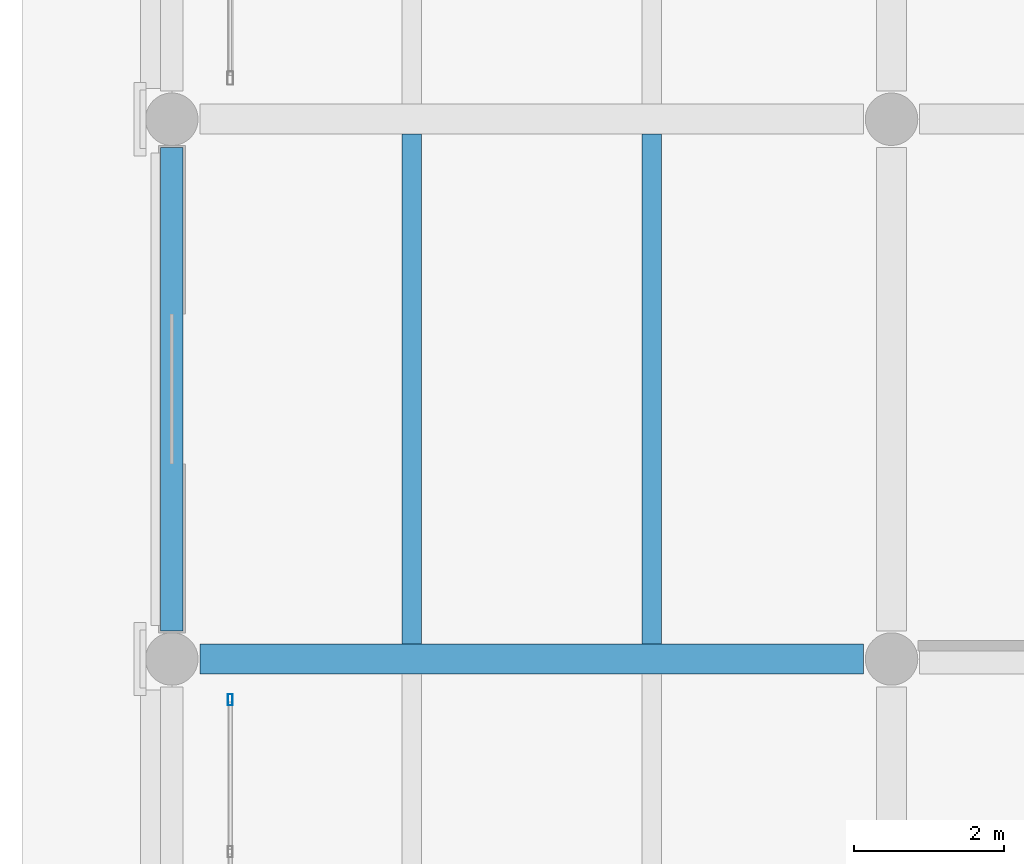
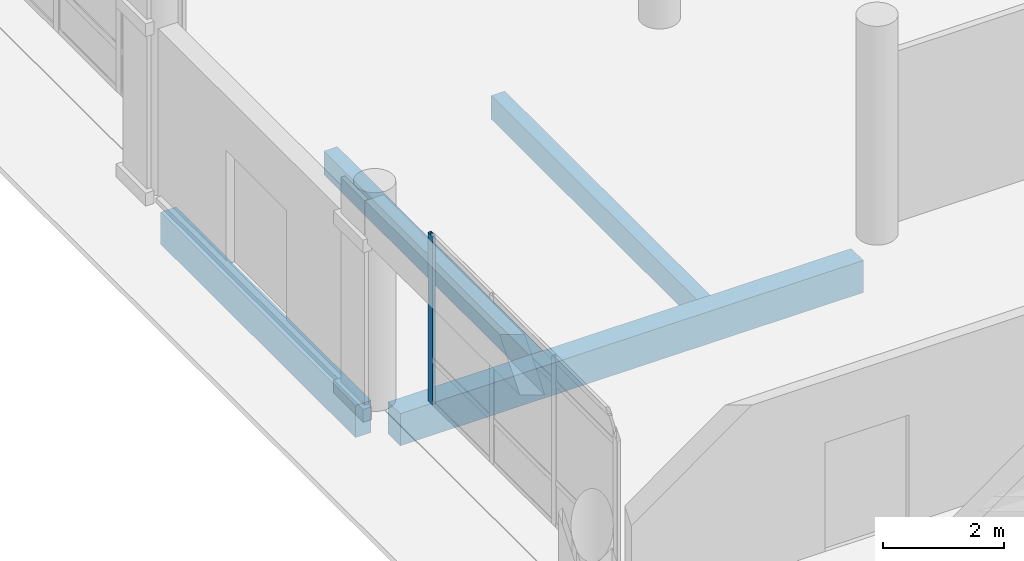
# One storey, part 52 of 196: 4 beams, 1 member, 1 element without a shape of its own.
"""IFC4 building model written with IfcOpenShell, lengths in metres."""

from ifc_helpers import new_model, si_unit, direction, frame, origin, origin_2d, place, context, subcontext, project, spatial, rectangle, hollow_rectangle, extrude, material, layer, layer_set, material_profile, profile_set, type_object, element, aggregate, save


model = new_model("IFC4")

# Units and contexts
model_context = context("Model", 3, precision=1e-05, world=origin(), true_north=direction((0.0, 1.0)))
body_context = subcontext(model_context, "Body", "Model", "MODEL_VIEW")
ifc_project = project(units=[si_unit("LENGTHUNIT", "METRE"), si_unit("AREAUNIT", "SQUARE_METRE"), si_unit("VOLUMEUNIT", "CUBIC_METRE"), si_unit("PLANEANGLEUNIT", "RADIAN"), si_unit("MASSUNIT", "GRAM", prefix="KILO")], contexts=[model_context])

# Site, building, storey
site_placement = place(None, origin())
site = spatial("IfcSite", under=ifc_project, at=site_placement, CompositionType="ELEMENT")
building_placement = place(site_placement, origin())
building = spatial("IfcBuilding", under=site, at=building_placement, Name="Asteropetra Specialist Clinic", CompositionType="ELEMENT")
storey_placement = place(building_placement, origin())
storey = spatial("IfcBuildingStorey", under=building, at=storey_placement, Name="L00", CompositionType="ELEMENT", Elevation=0.0)

# Beam
ifc_material_1 = material(Name="Concrete C35/45", Category="concrete")
ifc_material_profile_1 = material_profile(ifc_material_1, rectangle(XDim=0.39990234375, YDim=0.64990234375, at=origin_2d()), Name="RCB 400x650")
ifc_profile_set_1 = profile_set([ifc_material_profile_1], Name="Concrete C35/45")
beam_type_1 = type_object("IfcBeamType", Name="BM-RC400x650", PredefinedType="BEAM", material=ifc_profile_set_1)
beam_1_placement = place(storey_placement, frame((0.375, 48.0, -0.625), z_axis=(1.0, 0.0, 0.0), x_axis=(0.0, 1.0, 0.0)))
element("IfcBeam", 1, at=beam_1_placement, inside=storey, type_object=beam_type_1, Name="Beam BBM07-0143", PredefinedType="BEAM", context=body_context, shape_type="SweptSolid", body=[
    extrude(rectangle(XDim=0.39990234375, YDim=0.64990234375, at=origin_2d()), origin(), (0.0, 0.0, 1.0), 8.85009765625),
])

# Curtain wall, member
ifc_material_2 = material(Name="Aluminium and low-E glass", Category="aluminium")
ifc_layer = layer(ifc_material_2, 0.179931640625)
ifc_layer_set = layer_set([ifc_layer], Name="Aluminium and low-E glass")
curtain_wall_type = type_object("IfcCurtainWallType", Name="CW-SYS-10", PredefinedType="USERDEFINED", material=ifc_layer_set)
curtain_wall_placement = place(storey_placement, origin())
curtain_wall = element("IfcCurtainWall", 2, at=curtain_wall_placement, inside=storey, type_object=curtain_wall_type, Name="Curtain Wall CW-151", ObjectType="STICK GLAZED COLONNADE", PredefinedType="USERDEFINED")
ifc_material_3 = material(Name="Aluminium 6063-T6", Category="aluminium")
ifc_material_profile_2 = material_profile(ifc_material_3, hollow_rectangle(XDim=0.06494140625, YDim=0.14990234375, WallThickness=0.00390625, InnerFilletRadius=0.00390625, OuterFilletRadius=0.008056640625, at=origin_2d()), Name="MUL 150x65x4.0")
ifc_profile_set_2 = profile_set([ifc_material_profile_2], Name="Aluminium 6063-T6")
member_type = type_object("IfcMemberType", Name="CWM-150x65", PredefinedType="MULLION", material=ifc_profile_set_2)
member_placement = place(storey_placement, frame((0.780029296875, 47.45751953125, 0.0), z_axis=(0.0, 0.0, 1.0), x_axis=(1.0, 0.0, 0.0)))
member = element("IfcMember", 3, at=member_placement, type_object=member_type, Name="CW-151 mullion 1", PredefinedType="MULLION", context=body_context, shape_type="SweptSolid", body=[
    extrude(hollow_rectangle(XDim=0.06494140625, YDim=0.14990234375, WallThickness=0.00390625, InnerFilletRadius=0.00390625, OuterFilletRadius=0.008056640625, at=origin_2d()), origin(), (0.0, 0.0, 1.0), 3.39990234375),
])
aggregate(curtain_wall, [member])

# Beams
ifc_material_4 = material(Name="Concrete C35/45", Category="concrete")
ifc_material_profile_3 = material_profile(ifc_material_4, rectangle(XDim=0.260009765625, YDim=0.47998046875, at=origin_2d()), Name="RCJ 260x480")
ifc_profile_set_3 = profile_set([ifc_material_profile_3], Name="Concrete C35/45")
beam_type_2 = type_object("IfcBeamType", Name="JST-RC260x480", PredefinedType="JOIST", material=ifc_profile_set_3)
for number, where, z_axis, x_axis, name in (
    (4, (3.199951171875, 48.199951171875, -0.5400390625), (0.0, 1.0, 0.0), (-1.0, 0.0, 0.0), "Joist JJST02-0192"),
    (5, (6.39990234375, 48.199951171875, -0.5400390625), (0.0, 1.0, 0.0), (-1.0, 0.0, 0.0), "Joist JJST02-0193"),
):
    element("IfcBeam", number, at=place(storey_placement, frame(where, z_axis=z_axis, x_axis=x_axis)), inside=storey, type_object=beam_type_2, Name=name, PredefinedType="JOIST", context=body_context, shape_type="SweptSolid", body=[
        extrude(rectangle(XDim=0.260009765625, YDim=0.47998046875, at=origin_2d()), origin(), (0.0, 0.0, 1.0), 6.800048828125),
    ])
ifc_material_5 = material(Name="Concrete C35/45", Category="concrete")
ifc_material_profile_4 = material_profile(ifc_material_5, rectangle(XDim=0.300048828125, YDim=0.64990234375, at=origin_2d()), Name="RCS 300x650")
ifc_profile_set_4 = profile_set([ifc_material_profile_4], Name="Concrete C35/45")
beam_type_3 = type_object("IfcBeamType", Name="SPN-RC300x650", PredefinedType="SPANDREL", material=ifc_profile_set_4)
beam_2_placement = place(storey_placement, frame((0.0, 48.375, -0.625), z_axis=(0.0, 1.0, 0.0), x_axis=(-1.0, 0.0, 0.0)))
element("IfcBeam", 6, at=beam_2_placement, inside=storey, type_object=beam_type_3, Name="Beam BSPN03-0187", PredefinedType="SPANDREL", context=body_context, shape_type="SweptSolid", body=[
    extrude(rectangle(XDim=0.300048828125, YDim=0.64990234375, at=origin_2d()), origin(), (0.0, 0.0, 1.0), 6.449951171875),
])

save(model, "model.ifc")
